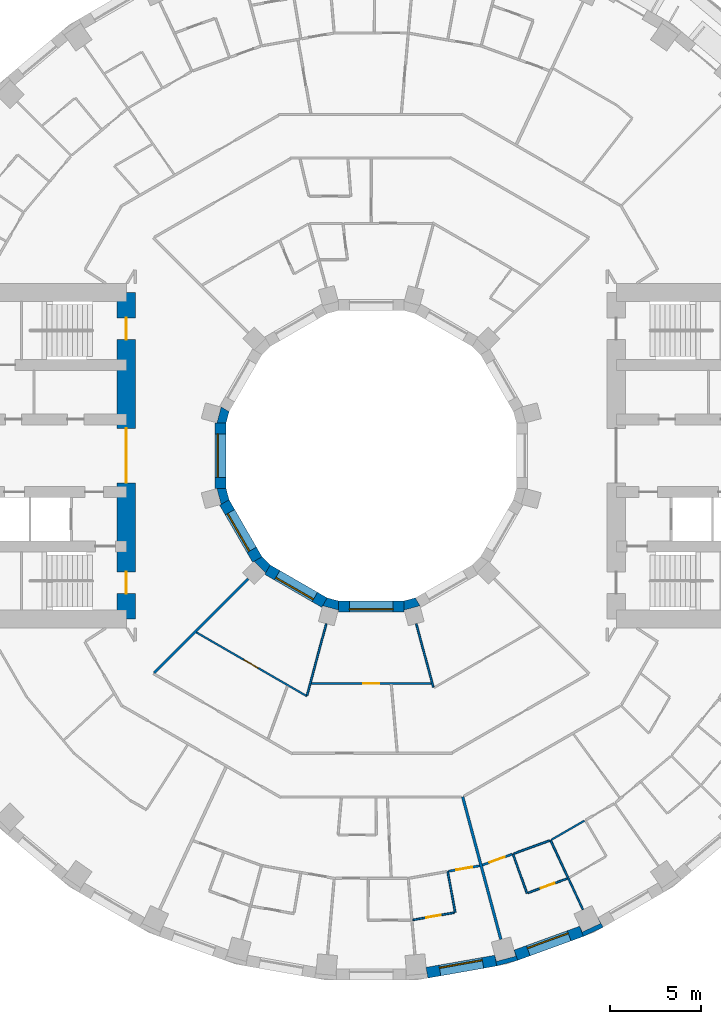
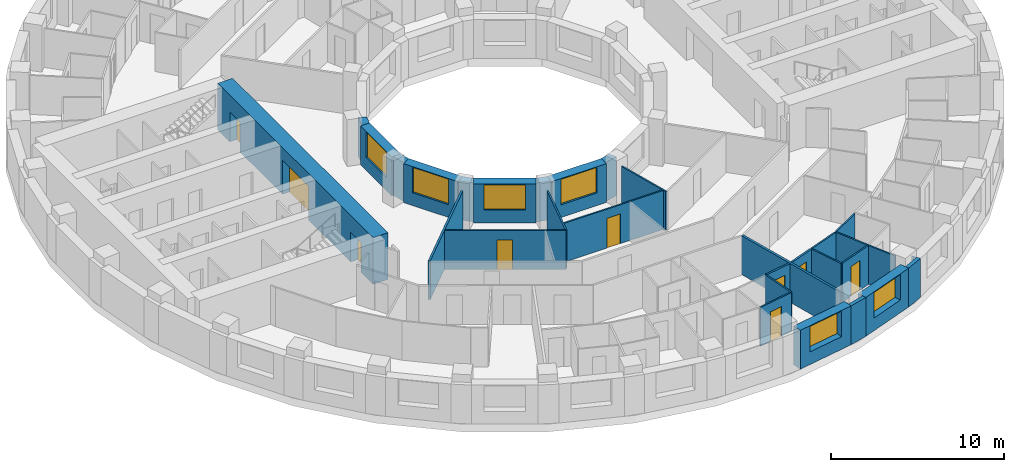
# One storey, part 6 of 15: 29 walls, 9 doors, 6 windows, 15 openings.
"""IFC4 building model written with IfcOpenShell, lengths in metres."""

from ifc_helpers import new_model, si_unit, direction, frame, frame_2d, origin, place, context, subcontext, project, spatial, polyline, rectangle, outline, extrude, material, layer, layer_set, type_object, element, fill, save


model = new_model("IFC4")

# Units and contexts
model_context = context("Model", 3, precision=1e-05, world=origin(), true_north=direction((0.0, 1.0)))
body_context = subcontext(model_context, "Body", "Model", "MODEL_VIEW")
ifc_project = project(units=[si_unit("LENGTHUNIT", "METRE"), si_unit("AREAUNIT", "SQUARE_METRE"), si_unit("VOLUMEUNIT", "CUBIC_METRE"), si_unit("PLANEANGLEUNIT", "RADIAN"), si_unit("MASSUNIT", "GRAM", prefix="KILO")], contexts=[model_context])

# Site, building, storey
site_placement = place(None, origin())
site = spatial("IfcSite", under=ifc_project, at=site_placement, CompositionType="ELEMENT")
building_placement = place(site_placement, origin())
building = spatial("IfcBuilding", under=site, at=building_placement, Name="Saqina Gate Tower", CompositionType="ELEMENT")
storey_placement = place(building_placement, frame((0.0, 0.0, 69.199951171875)))
storey = spatial("IfcBuildingStorey", under=building, at=storey_placement, Name="L19", CompositionType="ELEMENT", Elevation=69.199951171875)

# Walls
ifc_material_1 = material(Name="Brick masonry (red)", Category="masonry")
wall_type_1 = type_object("IfcWallType", Name="BRICK PIER COPING RED", PredefinedType="SOLIDWALL", material=ifc_material_1)
wall_1_placement = place(storey_placement, origin())
element("IfcWall", 1, at=wall_1_placement, inside=storey, type_object=wall_type_1, Name="Pier cap L19 column 29", PredefinedType="SOLIDWALL", context=body_context, shape_type="SweptSolid", body=[
    extrude(outline(polyline([(6.910400390625, -28.11669921875), (8.073974609375, -27.80517578125), (7.86865234375, -27.2412109375), (7.95947265625, -27.57958984375), (6.896728515625, -27.864501953125), (6.80615234375, -27.52587890625), (6.910400390625, -28.11669921875)])), origin(), (0.0, 0.0, 1.0), 2.75),
])
wall_2_placement = place(storey_placement, origin())
element("IfcWall", 2, at=wall_2_placement, inside=storey, type_object=wall_type_1, Name="Pier cap L19 column 30", PredefinedType="SOLIDWALL", context=body_context, shape_type="SweptSolid", body=[
    extrude(outline(polyline([(12.779541015625, -25.980712890625), (12.4794921875, -25.4609375), (12.627685546875, -25.778564453125), (11.630615234375, -26.243408203125), (11.482666015625, -25.92578125), (11.687744140625, -26.48974609375), (12.779541015625, -25.980712890625)])), origin(), (0.0, 0.0, 1.0), 2.75),
])

# Wall, opening, window
ifc_material_2 = material(Name="Brick masonry (red)", Category="masonry")
ifc_layer_1 = layer(ifc_material_2, 0.60009765625)
ifc_layer_set_1 = layer_set([ifc_layer_1], Name="FW-BRICK-RED")
wall_type_2 = type_object("IfcWallType", Name="FW-BRICK-RED", PredefinedType="SOLIDWALL", material=ifc_layer_set_1)
wall_3_placement = place(storey_placement, frame((3.07080078125, -28.4892578125, 0.0), z_axis=(0.0, 0.0, 1.0), x_axis=(0.984800809218, 0.173687553279, 0.0)))
wall_3 = element("IfcWall", 3, at=wall_3_placement, inside=storey, type_object=wall_type_2, Name="Facade wall L19 facet 28", PredefinedType="SOLIDWALL", context=body_context, shape_type="SweptSolid", body=[
    extrude(rectangle(XDim=3.845703125, YDim=0.60009765625, at=frame_2d((1.9228515625, 0.0))), origin(), (0.0, 0.0, 1.0), 2.75),
])
opening_1_placement = place(wall_3_placement, frame((0.722900390625, 0.0, 0.89990234375)))
opening_1 = element("IfcOpeningElement", 4, at=opening_1_placement, cuts=wall_3, Name="Opening G05-W17", PredefinedType="OPENING", context=body_context, shape_type="SweptSolid", body=[
    extrude(rectangle(XDim=2.39990234375, YDim=1.800048828125, at=frame_2d((1.199951171875, 0.89990234375))), frame((0.0, 0.31201171875, 0.0), z_axis=(0.0, -1.0, 0.0), x_axis=(1.0, 0.0, 0.0)), (0.0, 0.0, 1.0), 0.6240234375),
])
ifc_material_3 = material(Name="Aluminium glazing", Category="aluminium")
window_type_1 = type_object("IfcWindowType", Name="WN-A", PartitioningType="SINGLE_PANEL", PredefinedType="WINDOW", material=ifc_material_3)
window_1_placement = place(opening_1_placement, origin())
window_1 = element("IfcWindow", 5, at=window_1_placement, inside=storey, type_object=window_type_1, Name="Window L19 facet 28", OverallHeight=1.800048828125, OverallWidth=2.39990234375, PartitioningType="SINGLE_PANEL", PredefinedType="WINDOW", context=body_context, shape_type="SweptSolid", body=[
    extrude(rectangle(XDim=2.39990234375, YDim=1.800048828125, at=frame_2d((1.199951171875, 0.89990234375))), frame((0.0, 0.179931640625, 0.0), z_axis=(0.0, -1.0, 0.0), x_axis=(1.0, 0.0, 0.0)), (0.0, 0.0, 1.0), 0.06005859375),
])
fill(opening_1, window_1)

wall_4_placement = place(storey_placement, frame((7.97119140625, -27.523193359375, 0.0), z_axis=(0.0, 0.0, 1.0), x_axis=(0.939689588564, 0.342028474173, 0.0)))
wall_4 = element("IfcWall", 6, at=wall_4_placement, inside=storey, type_object=wall_type_2, Name="Facade wall L19 facet 29", PredefinedType="SOLIDWALL", context=body_context, shape_type="SweptSolid", body=[
    extrude(rectangle(XDim=3.845947265625, YDim=0.60009765625, at=frame_2d((1.9228515625, 0.0))), origin(), (0.0, 0.0, 1.0), 2.75),
])
opening_2_placement = place(wall_4_placement, frame((0.722900390625, 0.0, 0.89990234375)))
opening_2 = element("IfcOpeningElement", 7, at=opening_2_placement, cuts=wall_4, Name="Opening G05-W18", PredefinedType="OPENING", context=body_context, shape_type="SweptSolid", body=[
    extrude(rectangle(XDim=2.39990234375, YDim=1.800048828125, at=frame_2d((1.199951171875, 0.89990234375))), frame((0.0, 0.31201171875, 0.0), z_axis=(0.0, -1.0, 0.0), x_axis=(1.0, 0.0, 0.0)), (0.0, 0.0, 1.0), 0.6240234375),
])
window_2_placement = place(opening_2_placement, origin())
window_2 = element("IfcWindow", 8, at=window_2_placement, inside=storey, type_object=window_type_1, Name="Window L19 facet 29", OverallHeight=1.800048828125, OverallWidth=2.39990234375, PartitioningType="SINGLE_PANEL", PredefinedType="WINDOW", context=body_context, shape_type="SweptSolid", body=[
    extrude(rectangle(XDim=2.39990234375, YDim=1.800048828125, at=frame_2d((1.199951171875, 0.89990234375))), frame((0.0, 0.179931640625, 0.0), z_axis=(0.0, -1.0, 0.0), x_axis=(1.0, 0.0, 0.0)), (0.0, 0.0, 1.0), 0.06005859375),
])
fill(opening_2, window_2)

ifc_material_4 = material(Name="Glazed ceramic tile", Category="ceramic")
ifc_layer_2 = layer(ifc_material_4, 0.60009765625)
ifc_layer_set_2 = layer_set([ifc_layer_2], Name="IW-TILE")
wall_type_3 = type_object("IfcWallType", Name="IW-TILE", PredefinedType="SOLIDWALL", material=ifc_layer_set_2)
wall_5_placement = place(storey_placement, frame((-8.300048828125, 1.8125, 0.0), z_axis=(0.0, 0.0, 1.0), x_axis=(0.0, -1.0, 0.0)))
wall_5 = element("IfcWall", 9, at=wall_5_placement, inside=storey, type_object=wall_type_3, Name="Well wall L19 facet 6", PredefinedType="SOLIDWALL", context=body_context, shape_type="SweptSolid", body=[
    extrude(rectangle(XDim=3.625, YDim=0.60009765625, at=frame_2d((1.8125, 0.0))), origin(), (0.0, 0.0, 1.0), 2.75),
])
opening_3_placement = place(wall_5_placement, frame((0.612548828125, 0.0, 0.89990234375)))
opening_3 = element("IfcOpeningElement", 10, at=opening_3_placement, cuts=wall_5, Name="Opening G05-W28", PredefinedType="OPENING", context=body_context, shape_type="SweptSolid", body=[
    extrude(rectangle(XDim=2.39990234375, YDim=1.800048828125, at=frame_2d((1.199951171875, 0.89990234375))), frame((0.0, 0.31201171875, 0.0), z_axis=(0.0, -1.0, 0.0), x_axis=(1.0, 0.0, 0.0)), (0.0, 0.0, 1.0), 0.6240234375),
])
ifc_material_5 = material(Name="Aluminium glazing", Category="aluminium")
window_type_2 = type_object("IfcWindowType", Name="WN-W", PartitioningType="SINGLE_PANEL", PredefinedType="WINDOW", material=ifc_material_5)
window_3_placement = place(opening_3_placement, origin())
window_3 = element("IfcWindow", 11, at=window_3_placement, inside=storey, type_object=window_type_2, Name="Well window L19 facet 6", OverallHeight=1.800048828125, OverallWidth=2.39990234375, PartitioningType="SINGLE_PANEL", PredefinedType="WINDOW", context=body_context, shape_type="SweptSolid", body=[
    extrude(rectangle(XDim=2.39990234375, YDim=1.800048828125, at=frame_2d((1.199951171875, 0.89990234375))), frame((0.0, -0.119873046875, 0.0), z_axis=(0.0, -1.0, 0.0), x_axis=(1.0, 0.0, 0.0)), (0.0, 0.0, 1.0), 0.06005859375),
])
fill(opening_3, window_3)

wall_6_placement = place(storey_placement, frame((-8.09423828125, -2.580322265625, 0.0), z_axis=(0.0, 0.0, 1.0), x_axis=(0.499992569217, -0.866029693906, 0.0)))
wall_6 = element("IfcWall", 12, at=wall_6_placement, inside=storey, type_object=wall_type_3, Name="Well wall L19 facet 7", PredefinedType="SOLIDWALL", context=body_context, shape_type="SweptSolid", body=[
    extrude(rectangle(XDim=3.625, YDim=0.60009765625, at=frame_2d((1.8125, 0.0))), origin(), (0.0, 0.0, 1.0), 2.75),
])
opening_4_placement = place(wall_6_placement, frame((0.612548828125, 0.0, 0.89990234375)))
opening_4 = element("IfcOpeningElement", 13, at=opening_4_placement, cuts=wall_6, Name="Opening G05-W29", PredefinedType="OPENING", context=body_context, shape_type="SweptSolid", body=[
    extrude(rectangle(XDim=2.39990234375, YDim=1.800048828125, at=frame_2d((1.199951171875, 0.89990234375))), frame((0.0, 0.31201171875, 0.0), z_axis=(0.0, -1.0, 0.0), x_axis=(1.0, 0.0, 0.0)), (0.0, 0.0, 1.0), 0.6240234375),
])
window_4_placement = place(opening_4_placement, origin())
window_4 = element("IfcWindow", 14, at=window_4_placement, inside=storey, type_object=window_type_2, Name="Well window L19 facet 7", OverallHeight=1.800048828125, OverallWidth=2.39990234375, PartitioningType="SINGLE_PANEL", PredefinedType="WINDOW", context=body_context, shape_type="SweptSolid", body=[
    extrude(rectangle(XDim=2.39990234375, YDim=1.800048828125, at=frame_2d((1.199951171875, 0.89990234375))), frame((0.0, -0.119873046875, 0.0), z_axis=(0.0, -1.0, 0.0), x_axis=(1.0, 0.0, 0.0)), (0.0, 0.0, 1.0), 0.06005859375),
])
fill(opening_4, window_4)

wall_7_placement = place(storey_placement, frame((-5.7197265625, -6.28173828125, 0.0), z_axis=(0.0, 0.0, 1.0), x_axis=(0.866029693906, -0.499992569217, 0.0)))
wall_7 = element("IfcWall", 15, at=wall_7_placement, inside=storey, type_object=wall_type_3, Name="Well wall L19 facet 8", PredefinedType="SOLIDWALL", context=body_context, shape_type="SweptSolid", body=[
    extrude(rectangle(XDim=3.625, YDim=0.60009765625, at=frame_2d((1.8125, 0.0))), origin(), (0.0, 0.0, 1.0), 2.75),
])
opening_5_placement = place(wall_7_placement, frame((0.612548828125, 0.0, 0.89990234375)))
opening_5 = element("IfcOpeningElement", 16, at=opening_5_placement, cuts=wall_7, Name="Opening G05-W30", PredefinedType="OPENING", context=body_context, shape_type="SweptSolid", body=[
    extrude(rectangle(XDim=2.39990234375, YDim=1.800048828125, at=frame_2d((1.199951171875, 0.89990234375))), frame((0.0, 0.31201171875, 0.0), z_axis=(0.0, -1.0, 0.0), x_axis=(1.0, 0.0, 0.0)), (0.0, 0.0, 1.0), 0.6240234375),
])
window_5_placement = place(opening_5_placement, origin())
window_5 = element("IfcWindow", 17, at=window_5_placement, inside=storey, type_object=window_type_2, Name="Well window L19 facet 8", OverallHeight=1.800048828125, OverallWidth=2.39990234375, PartitioningType="SINGLE_PANEL", PredefinedType="WINDOW", context=body_context, shape_type="SweptSolid", body=[
    extrude(rectangle(XDim=2.39990234375, YDim=1.800048828125, at=frame_2d((1.199951171875, 0.89990234375))), frame((0.0, -0.119873046875, 0.0), z_axis=(0.0, -1.0, 0.0), x_axis=(1.0, 0.0, 0.0)), (0.0, 0.0, 1.0), 0.06005859375),
])
fill(opening_5, window_5)

wall_8_placement = place(storey_placement, frame((-1.8125, -8.300048828125, 0.0), z_axis=(0.0, 0.0, 1.0), x_axis=(1.0, 0.0, 0.0)))
wall_8 = element("IfcWall", 18, at=wall_8_placement, inside=storey, type_object=wall_type_3, Name="Well wall L19 facet 9", PredefinedType="SOLIDWALL", context=body_context, shape_type="SweptSolid", body=[
    extrude(rectangle(XDim=3.625, YDim=0.60009765625, at=frame_2d((1.8125, 0.0))), origin(), (0.0, 0.0, 1.0), 2.75),
])
opening_6_placement = place(wall_8_placement, frame((0.612548828125, 0.0, 0.89990234375)))
opening_6 = element("IfcOpeningElement", 19, at=opening_6_placement, cuts=wall_8, Name="Opening G05-W31", PredefinedType="OPENING", context=body_context, shape_type="SweptSolid", body=[
    extrude(rectangle(XDim=2.39990234375, YDim=1.800048828125, at=frame_2d((1.199951171875, 0.89990234375))), frame((0.0, 0.31201171875, 0.0), z_axis=(0.0, -1.0, 0.0), x_axis=(1.0, 0.0, 0.0)), (0.0, 0.0, 1.0), 0.6240234375),
])
window_6_placement = place(opening_6_placement, origin())
window_6 = element("IfcWindow", 20, at=window_6_placement, inside=storey, type_object=window_type_2, Name="Well window L19 facet 9", OverallHeight=1.800048828125, OverallWidth=2.39990234375, PartitioningType="SINGLE_PANEL", PredefinedType="WINDOW", context=body_context, shape_type="SweptSolid", body=[
    extrude(rectangle(XDim=2.39990234375, YDim=1.800048828125, at=frame_2d((1.199951171875, 0.89990234375))), frame((0.0, -0.119873046875, 0.0), z_axis=(0.0, -1.0, 0.0), x_axis=(1.0, 0.0, 0.0)), (0.0, 0.0, 1.0), 0.06005859375),
])
fill(opening_6, window_6)

# Walls
ifc_material_6 = material(Name="Gypsum board on steel studs, 100 mm", Category="steel")
ifc_layer_3 = layer(ifc_material_6, 0.10009765625)
ifc_layer_set_3 = layer_set([ifc_layer_3], Name="PARTITION 100")
wall_type_4 = type_object("IfcWallType", Name="PARTITION 100", PredefinedType="PARTITIONING", material=ifc_layer_set_3)
wall_9_placement = place(storey_placement, frame((4.208984375, -22.906982421875, 0.0), z_axis=(0.0, 0.0, 1.0), x_axis=(0.180884135875, -0.983504412491, 0.0)))
element("IfcWall", 21, at=wall_9_placement, inside=storey, type_object=wall_type_4, Name="PARTITION PW3-10", PredefinedType="PARTITIONING", context=body_context, shape_type="SweptSolid", body=[
    extrude(rectangle(XDim=2.2998046875, YDim=0.10009765625, at=frame_2d((1.14990234375, 0.0))), origin(), (0.0, 0.0, 1.0), 2.75),
])
wall_10_placement = place(storey_placement, frame((2.48291015625, -9.265380859375, 0.0), z_axis=(0.0, 0.0, 1.0), x_axis=(0.258862308746, -0.965914232792, 0.0)))
element("IfcWall", 22, at=wall_10_placement, inside=storey, type_object=wall_type_4, Name="PARTITION PW3-14", PredefinedType="PARTITIONING", context=body_context, shape_type="SweptSolid", body=[
    extrude(rectangle(XDim=3.609375, YDim=0.10009765625, at=frame_2d((1.8046875, 0.0))), origin(), (0.0, 0.0, 1.0), 2.75),
])
wall_11_placement = place(storey_placement, frame((7.80810546875, -21.94189453125, 0.0), z_axis=(0.0, 0.0, 1.0), x_axis=(0.335206501266, -0.942144681835, 0.0)))
element("IfcWall", 23, at=wall_11_placement, inside=storey, type_object=wall_type_4, Name="PARTITION PW3-16", PredefinedType="PARTITIONING", context=body_context, shape_type="SweptSolid", body=[
    extrude(rectangle(XDim=2.300048828125, YDim=0.10009765625, at=frame_2d((1.14990234375, 0.0))), origin(), (0.0, 0.0, 1.0), 2.75),
])
wall_12_placement = place(storey_placement, frame((9.8798828125, -21.18798828125, 0.0), z_axis=(0.0, 0.0, 1.0), x_axis=(0.422631582156, -0.906301575506, 0.0)))
element("IfcWall", 24, at=wall_12_placement, inside=storey, type_object=wall_type_4, Name="PARTITION PW3-20", PredefinedType="PARTITIONING", context=body_context, shape_type="SweptSolid", body=[
    extrude(rectangle(XDim=4.211669921875, YDim=0.10009765625, at=frame_2d((2.10595703125, 0.0))), origin(), (0.0, 0.0, 1.0), 2.75),
])

# Wall, opening, door
wall_13_placement = place(storey_placement, frame((-9.645751953125, -9.731201171875, 0.0), z_axis=(0.0, 0.0, 1.0), x_axis=(0.866059669785, -0.49994064485, 0.0)))
wall_13 = element("IfcWall", 25, at=wall_13_placement, inside=storey, type_object=wall_type_4, Name="PARTITION PW3-44", PredefinedType="PARTITIONING", context=body_context, shape_type="SweptSolid", body=[
    extrude(rectangle(XDim=7.038330078125, YDim=0.10009765625, at=frame_2d((3.51904296875, 0.0))), origin(), (0.0, 0.0, 1.0), 2.75),
])
opening_7_placement = place(wall_13_placement, frame((3.0380859375, 0.0, 0.0)))
opening_7 = element("IfcOpeningElement", 26, at=opening_7_placement, cuts=wall_13, Name="Opening G05-D39", PredefinedType="OPENING", context=body_context, shape_type="SweptSolid", body=[
    extrude(rectangle(XDim=0.89990234375, YDim=2.10009765625, at=frame_2d((0.449951171875, 1.050048828125))), frame((0.0, 0.06201171875, 0.0), z_axis=(0.0, -1.0, 0.0), x_axis=(1.0, 0.0, 0.0)), (0.0, 0.0, 1.0), 0.1240234375),
])
ifc_material_7 = material(Name="Timber door leaf, 900 mm", Category="wood")
door_type_1 = type_object("IfcDoorType", Name="DOOR 900 TIMBER", OperationType="SINGLE_SWING_LEFT", PredefinedType="DOOR", material=ifc_material_7)
door_1_placement = place(opening_7_placement, origin())
door_1 = element("IfcDoor", 27, at=door_1_placement, inside=storey, type_object=door_type_1, Name="DOOR G05-D39", OperationType="SINGLE_SWING_LEFT", OverallHeight=2.10009765625, OverallWidth=0.89990234375, PredefinedType="DOOR", context=body_context, shape_type="SweptSolid", body=[
    extrude(rectangle(XDim=0.89990234375, YDim=2.10009765625, at=frame_2d((0.449951171875, 1.050048828125))), frame((0.0, 0.02490234375, 0.0), z_axis=(0.0, -1.0, 0.0), x_axis=(1.0, 0.0, 0.0)), (0.0, 0.0, 1.0), 0.050048828125),
])
fill(opening_7, door_1)

wall_14_placement = place(storey_placement, frame((-3.3125, -12.550048828125, 0.0), z_axis=(0.0, 0.0, 1.0), x_axis=(1.0, 0.0, 0.0)))
wall_14 = element("IfcWall", 28, at=wall_14_placement, inside=storey, type_object=wall_type_4, Name="PARTITION PW3-61", PredefinedType="PARTITIONING", context=body_context, shape_type="SweptSolid", body=[
    extrude(rectangle(XDim=6.62548828125, YDim=0.10009765625, at=frame_2d((3.312744140625, 0.0))), origin(), (0.0, 0.0, 1.0), 2.75),
])
opening_8_placement = place(wall_14_placement, frame((2.862548828125, 0.0, 0.0)))
opening_8 = element("IfcOpeningElement", 29, at=opening_8_placement, cuts=wall_14, Name="Opening G05-D49", PredefinedType="OPENING", context=body_context, shape_type="SweptSolid", body=[
    extrude(rectangle(XDim=0.89990234375, YDim=2.10009765625, at=frame_2d((0.449951171875, 1.050048828125))), frame((0.0, 0.06201171875, 0.0), z_axis=(0.0, -1.0, 0.0), x_axis=(1.0, 0.0, 0.0)), (0.0, 0.0, 1.0), 0.1240234375),
])
door_2_placement = place(opening_8_placement, frame((0.89990234375, 0.0, 0.0), z_axis=(0.0, 0.0, 1.0), x_axis=(-1.0, 0.0, 0.0)))
door_2 = element("IfcDoor", 30, at=door_2_placement, inside=storey, type_object=door_type_1, Name="DOOR G05-D49", OperationType="SINGLE_SWING_RIGHT", OverallHeight=2.10009765625, OverallWidth=0.89990234375, PredefinedType="DOOR", context=body_context, shape_type="SweptSolid", body=[
    extrude(rectangle(XDim=0.89990234375, YDim=2.10009765625, at=frame_2d((0.449951171875, 1.050048828125))), frame((0.0, 0.02490234375, 0.0), z_axis=(0.0, -1.0, 0.0), x_axis=(1.0, 0.0, 0.0)), (0.0, 0.0, 1.0), 0.050048828125),
])
fill(opening_8, door_2)

wall_15_placement = place(storey_placement, frame((2.288330078125, -25.581298828125, 0.0), z_axis=(0.0, 0.0, 1.0), x_axis=(0.984789907179, 0.173749356022, 0.0)))
wall_15 = element("IfcWall", 31, at=wall_15_placement, inside=storey, type_object=wall_type_4, Name="PARTITION PW3-67", PredefinedType="PARTITIONING", context=body_context, shape_type="SweptSolid", body=[
    extrude(rectangle(XDim=2.32275390625, YDim=0.10009765625, at=frame_2d((1.161376953125, 0.0))), origin(), (0.0, 0.0, 1.0), 2.75),
])
opening_9_placement = place(wall_15_placement, frame((0.761474609375, 0.0, 0.0)))
opening_9 = element("IfcOpeningElement", 32, at=opening_9_placement, cuts=wall_15, Name="Opening G05-D52", PredefinedType="OPENING", context=body_context, shape_type="SweptSolid", body=[
    extrude(rectangle(XDim=0.800048828125, YDim=2.10009765625, at=frame_2d((0.39990234375, 1.050048828125))), frame((0.0, 0.06201171875, 0.0), z_axis=(0.0, -1.0, 0.0), x_axis=(1.0, 0.0, 0.0)), (0.0, 0.0, 1.0), 0.1240234375),
])
ifc_material_8 = material(Name="Timber door leaf, 800 mm", Category="wood")
door_type_2 = type_object("IfcDoorType", Name="DOOR 800 TIMBER", OperationType="SINGLE_SWING_LEFT", PredefinedType="DOOR", material=ifc_material_8)
door_3_placement = place(opening_9_placement, frame((0.800048828125, 0.0, 0.0), z_axis=(0.0, 0.0, 1.0), x_axis=(-1.0, 0.0, 0.0)))
door_3 = element("IfcDoor", 33, at=door_3_placement, inside=storey, type_object=door_type_2, Name="DOOR G05-D52", OperationType="SINGLE_SWING_RIGHT", OverallHeight=2.10009765625, OverallWidth=0.800048828125, PredefinedType="DOOR", context=body_context, shape_type="SweptSolid", body=[
    extrude(rectangle(XDim=0.800048828125, YDim=2.10009765625, at=frame_2d((0.39990234375, 1.050048828125))), frame((0.0, 0.02490234375, 0.0), z_axis=(0.0, -1.0, 0.0), x_axis=(1.0, 0.0, 0.0)), (0.0, 0.0, 1.0), 0.050048828125),
])
fill(opening_9, door_3)

wall_16_placement = place(storey_placement, frame((8.6259765625, -24.091796875, 0.0), z_axis=(0.0, 0.0, 1.0), x_axis=(0.939814902169, 0.341683990936, 0.0)))
wall_16 = element("IfcWall", 34, at=wall_16_placement, inside=storey, type_object=wall_type_4, Name="PARTITION PW3-71", PredefinedType="PARTITIONING", context=body_context, shape_type="SweptSolid", body=[
    extrude(rectangle(XDim=2.322998046875, YDim=0.10009765625, at=frame_2d((1.16162109375, 0.0))), origin(), (0.0, 0.0, 1.0), 2.75),
])
opening_10_placement = place(wall_16_placement, frame((0.761474609375, 0.0, 0.0)))
opening_10 = element("IfcOpeningElement", 35, at=opening_10_placement, cuts=wall_16, Name="Opening G05-D55", PredefinedType="OPENING", context=body_context, shape_type="SweptSolid", body=[
    extrude(rectangle(XDim=0.800048828125, YDim=2.10009765625, at=frame_2d((0.39990234375, 1.050048828125))), frame((0.0, 0.06201171875, 0.0), z_axis=(0.0, -1.0, 0.0), x_axis=(1.0, 0.0, 0.0)), (0.0, 0.0, 1.0), 0.1240234375),
])
door_4_placement = place(opening_10_placement, frame((0.800048828125, 0.0, 0.0), z_axis=(0.0, 0.0, 1.0), x_axis=(-1.0, 0.0, 0.0)))
door_4 = element("IfcDoor", 36, at=door_4_placement, inside=storey, type_object=door_type_2, Name="DOOR G05-D55", OperationType="SINGLE_SWING_RIGHT", OverallHeight=2.10009765625, OverallWidth=0.800048828125, PredefinedType="DOOR", context=body_context, shape_type="SweptSolid", body=[
    extrude(rectangle(XDim=0.800048828125, YDim=2.10009765625, at=frame_2d((0.39990234375, 1.050048828125))), frame((0.0, 0.02490234375, 0.0), z_axis=(0.0, -1.0, 0.0), x_axis=(1.0, 0.0, 0.0)), (0.0, 0.0, 1.0), 0.050048828125),
])
fill(opening_10, door_4)

# Walls
for number, where, z_axis, x_axis, name in (
    (37, (7.85498046875, -21.9248046875, 0.0), (0.0, 0.0, 1.0), (0.939725675468, 0.341929312674, 0.0), "PARTITION PW3-72"),
    (38, (9.92333984375, -21.1630859375, 0.0), (0.0, 0.0, 1.0), (0.866158552195, 0.499769309241, 0.0), "PARTITION PW3-76"),
):
    element("IfcWall", number, at=place(storey_placement, frame(where, z_axis=z_axis, x_axis=x_axis)), inside=storey, type_object=wall_type_4, Name=name, PredefinedType="PARTITIONING", context=body_context, shape_type="SweptSolid", body=[
        extrude(rectangle(XDim=2.10498046875, YDim=0.10009765625, at=frame_2d((1.052490234375, 0.0))), origin(), (0.0, 0.0, 1.0), 2.75),
    ])
wall_17_placement = place(storey_placement, frame((-3.537109375, -13.20166015625, 0.0), z_axis=(0.0, 0.0, 1.0), x_axis=(0.258810949593, 0.965927995438, 0.0)))
element("IfcWall", 39, at=wall_17_placement, inside=storey, type_object=wall_type_4, Name="PARTITION PW3-106", PredefinedType="PARTITIONING", context=body_context, shape_type="SweptSolid", body=[
    extrude(rectangle(XDim=4.0751953125, YDim=0.10009765625, at=frame_2d((2.03759765625, 0.0))), origin(), (0.0, 0.0, 1.0), 2.75),
])

# Wall, opening, door
ifc_material_9 = material(Name="Gypsum board on steel studs, 125 mm, fire rated", Category="steel")
ifc_layer_4 = layer(ifc_material_9, 0.125)
ifc_layer_set_4 = layer_set([ifc_layer_4], Name="PARTITION EI 30 125")
wall_type_5 = type_object("IfcWallType", Name="PARTITION EI 30 125", PredefinedType="PARTITIONING", material=ifc_layer_set_4)
wall_18_placement = place(storey_placement, frame((4.25830078125, -22.898193359375, 0.0), z_axis=(0.0, 0.0, 1.0), x_axis=(0.984792007097, 0.173737453525, 0.0)))
wall_18 = element("IfcWall", 40, at=wall_18_placement, inside=storey, type_object=wall_type_5, Name="PARTITION PW1-27", PredefinedType="PARTITIONING", context=body_context, shape_type="SweptSolid", body=[
    extrude(rectangle(XDim=1.745361328125, YDim=0.125, at=frame_2d((0.87255859375, 0.0))), origin(), (0.0, 0.0, 1.0), 2.75),
])
opening_11_placement = place(wall_18_placement, frame((0.435302734375, 0.0, 0.0)))
opening_11 = element("IfcOpeningElement", 41, at=opening_11_placement, cuts=wall_18, Name="Opening G05-D53", PredefinedType="OPENING", context=body_context, shape_type="SweptSolid", body=[
    extrude(rectangle(XDim=0.89990234375, YDim=2.10009765625, at=frame_2d((0.449951171875, 1.050048828125))), frame((0.0, 0.074462890625, 0.0), z_axis=(0.0, -1.0, 0.0), x_axis=(1.0, 0.0, 0.0)), (0.0, 0.0, 1.0), 0.14892578125),
])
ifc_material_10 = material(Name="Fire door leaf EI 30, 900 mm")
door_type_3 = type_object("IfcDoorType", Name="DOOR 900 EI 30", OperationType="SINGLE_SWING_LEFT", PredefinedType="DOOR", material=ifc_material_10)
door_5_placement = place(opening_11_placement, origin())
door_5 = element("IfcDoor", 42, at=door_5_placement, inside=storey, type_object=door_type_3, Name="DOOR G05-D53", OperationType="SINGLE_SWING_RIGHT", OverallHeight=2.10009765625, OverallWidth=0.89990234375, PredefinedType="DOOR", context=body_context, shape_type="SweptSolid", body=[
    extrude(rectangle(XDim=0.89990234375, YDim=2.10009765625, at=frame_2d((0.449951171875, 1.050048828125))), frame((0.0, 0.02490234375, 0.0), z_axis=(0.0, -1.0, 0.0), x_axis=(1.0, 0.0, 0.0)), (0.0, 0.0, 1.0), 0.050048828125),
])
fill(opening_11, door_5)

wall_19_placement = place(storey_placement, frame((6.12158203125, -22.556396484375, 0.0), z_axis=(0.0, 0.0, 1.0), x_axis=(0.939605351125, 0.342259819635, 0.0)))
wall_19 = element("IfcWall", 43, at=wall_19_placement, inside=storey, type_object=wall_type_5, Name="PARTITION PW1-29", PredefinedType="PARTITIONING", context=body_context, shape_type="SweptSolid", body=[
    extrude(rectangle(XDim=1.744873046875, YDim=0.125, at=frame_2d((0.87255859375, 0.0))), origin(), (0.0, 0.0, 1.0), 2.75),
])
opening_12_placement = place(wall_19_placement, frame((0.409912109375, 0.0, 0.0)))
opening_12 = element("IfcOpeningElement", 44, at=opening_12_placement, cuts=wall_19, Name="Opening G05-D54", PredefinedType="OPENING", context=body_context, shape_type="SweptSolid", body=[
    extrude(rectangle(XDim=0.89990234375, YDim=2.10009765625, at=frame_2d((0.449951171875, 1.050048828125))), frame((0.0, 0.074462890625, 0.0), z_axis=(0.0, -1.0, 0.0), x_axis=(1.0, 0.0, 0.0)), (0.0, 0.0, 1.0), 0.14892578125),
])
door_6_placement = place(opening_12_placement, origin())
door_6 = element("IfcDoor", 45, at=door_6_placement, inside=storey, type_object=door_type_3, Name="DOOR G05-D54", OperationType="SINGLE_SWING_LEFT", OverallHeight=2.10009765625, OverallWidth=0.89990234375, PredefinedType="DOOR", context=body_context, shape_type="SweptSolid", body=[
    extrude(rectangle(XDim=0.89990234375, YDim=2.10009765625, at=frame_2d((0.449951171875, 1.050048828125))), frame((0.0, 0.02490234375, 0.0), z_axis=(0.0, -1.0, 0.0), x_axis=(1.0, 0.0, 0.0)), (0.0, 0.0, 1.0), 0.050048828125),
])
fill(opening_12, door_6)

# Walls
wall_20_placement = place(storey_placement, frame((-11.9619140625, -11.9619140625, 0.0), z_axis=(0.0, 0.0, 1.0), x_axis=(0.707106781187, 0.707106781187, 0.0)))
element("IfcWall", 46, at=wall_20_placement, inside=storey, type_object=wall_type_5, Name="PARTITION PW1-42", PredefinedType="PARTITIONING", context=body_context, shape_type="SweptSolid", body=[
    extrude(rectangle(XDim=7.324462890625, YDim=0.125, at=frame_2d((3.662109375, 0.0))), origin(), (0.0, 0.0, 1.0), 2.75),
])
ifc_material_11 = material(Name="Gypsum board on steel studs, 150 mm, fire rated", Category="steel")
ifc_layer_5 = layer(ifc_material_11, 0.14990234375)
ifc_layer_set_5 = layer_set([ifc_layer_5], Name="PARTITION EI 60 150")
wall_type_6 = type_object("IfcWallType", Name="PARTITION EI 60 150", PredefinedType="PARTITIONING", material=ifc_layer_set_5)
wall_21_placement = place(storey_placement, frame((5.037109375, -18.800048828125, 0.0), z_axis=(0.0, 0.0, 1.0), x_axis=(0.258808663505, -0.96592860797, 0.0)))
element("IfcWall", 47, at=wall_21_placement, inside=storey, type_object=wall_type_6, Name="PARTITION PW2-01", PredefinedType="PARTITIONING", context=body_context, shape_type="SweptSolid", body=[
    extrude(rectangle(XDim=8.126708984375, YDim=0.14990234375, at=frame_2d((4.0634765625, 0.0))), origin(), (0.0, 0.0, 1.0), 2.75),
])

# Wall, openings, doors
ifc_material_12 = material(Name="Concrete C70/85", Category="concrete")
ifc_layer_6 = layer(ifc_material_12, 1.0)
ifc_layer_set_6 = layer_set([ifc_layer_6], Name="Concrete C70/85")
wall_type_7 = type_object("IfcWallType", Name="STR-CORE WALL-A-O", PredefinedType="SHEAR", material=ifc_layer_set_6)
wall_22_placement = place(storey_placement, frame((-13.5, -9.0, 0.0), z_axis=(0.0, 0.0, 1.0), x_axis=(0.0, 1.0, 0.0)))
wall_22 = element("IfcWall", 48, at=wall_22_placement, inside=storey, type_object=wall_type_7, Name="CORE WALL L19 W-W1", PredefinedType="SHEAR", context=body_context, shape_type="SweptSolid", body=[
    extrude(rectangle(XDim=18.0, YDim=1.0, at=frame_2d((9.0, 0.0))), origin(), (0.0, 0.0, 1.0), 3.300048828125),
])
opening_13_placement = place(wall_22_placement, frame((15.39990234375, 0.0, 0.0)))
opening_13 = element("IfcOpeningElement", 49, at=opening_13_placement, cuts=wall_22, Name="Opening G05-D119", PredefinedType="OPENING", context=body_context, shape_type="SweptSolid", body=[
    extrude(rectangle(XDim=1.199951171875, YDim=2.10009765625, at=frame_2d((0.60009765625, 1.050048828125))), frame((0.0, 0.511962890625, 0.0), z_axis=(0.0, -1.0, 0.0), x_axis=(1.0, 0.0, 0.0)), (0.0, 0.0, 1.0), 1.02392578125),
])
opening_14_placement = place(wall_22_placement, frame((1.39990234375, 0.0, 0.0)))
opening_14 = element("IfcOpeningElement", 50, at=opening_14_placement, cuts=wall_22, Name="Opening G05-D120", PredefinedType="OPENING", context=body_context, shape_type="SweptSolid", body=[
    extrude(rectangle(XDim=1.199951171875, YDim=2.10009765625, at=frame_2d((0.60009765625, 1.050048828125))), frame((0.0, 0.511962890625, 0.0), z_axis=(0.0, -1.0, 0.0), x_axis=(1.0, 0.0, 0.0)), (0.0, 0.0, 1.0), 1.02392578125),
])
opening_15_placement = place(wall_22_placement, frame((7.5, 0.0, 0.0)))
opening_15 = element("IfcOpeningElement", 51, at=opening_15_placement, cuts=wall_22, Name="Opening G05-D121", PredefinedType="OPENING", context=body_context, shape_type="SweptSolid", body=[
    extrude(rectangle(XDim=3.0, YDim=2.39990234375, at=frame_2d((1.5, 1.199951171875))), frame((0.0, 0.511962890625, 0.0), z_axis=(0.0, -1.0, 0.0), x_axis=(1.0, 0.0, 0.0)), (0.0, 0.0, 1.0), 1.02392578125),
])
ifc_material_13 = material(Name="Steel", Category="steel")
door_type_4 = type_object("IfcDoorType", Name="FIRE DOOR EI 60", OperationType="SINGLE_SWING_LEFT", PredefinedType="DOOR", material=ifc_material_13)
door_7_placement = place(opening_13_placement, origin())
door_7 = element("IfcDoor", 52, at=door_7_placement, inside=storey, type_object=door_type_4, Name="L19-CD-W30", OperationType="SINGLE_SWING_RIGHT", OverallHeight=2.10009765625, OverallWidth=1.199951171875, PredefinedType="DOOR", context=body_context, shape_type="SweptSolid", body=[
    extrude(rectangle(XDim=1.199951171875, YDim=2.10009765625, at=frame_2d((0.60009765625, 1.050048828125))), frame((0.0, 0.02490234375, 0.0), z_axis=(0.0, -1.0, 0.0), x_axis=(1.0, 0.0, 0.0)), (0.0, 0.0, 1.0), 0.050048828125),
])
fill(opening_13, door_7)
door_8_placement = place(opening_14_placement, origin())
door_8 = element("IfcDoor", 53, at=door_8_placement, inside=storey, type_object=door_type_4, Name="L19-CD-W31", OperationType="SINGLE_SWING_LEFT", OverallHeight=2.10009765625, OverallWidth=1.199951171875, PredefinedType="DOOR", context=body_context, shape_type="SweptSolid", body=[
    extrude(rectangle(XDim=1.199951171875, YDim=2.10009765625, at=frame_2d((0.60009765625, 1.050048828125))), frame((0.0, 0.02490234375, 0.0), z_axis=(0.0, -1.0, 0.0), x_axis=(1.0, 0.0, 0.0)), (0.0, 0.0, 1.0), 0.050048828125),
])
fill(opening_14, door_8)
ifc_material_14 = material(Name="Steel and fire-resisting glass", Category="steel")
door_type_5 = type_object("IfcDoorType", Name="LOBBY SCREEN DOOR", OperationType="DOUBLE_DOOR_SLIDING", PredefinedType="DOOR", material=ifc_material_14)
door_9_placement = place(opening_15_placement, origin())
door_9 = element("IfcDoor", 54, at=door_9_placement, inside=storey, type_object=door_type_5, Name="L19-CD-W32", OperationType="DOUBLE_DOOR_SLIDING", OverallHeight=2.39990234375, OverallWidth=3.0, PredefinedType="DOOR", context=body_context, shape_type="SweptSolid", body=[
    extrude(rectangle(XDim=3.0, YDim=2.39990234375, at=frame_2d((1.5, 1.199951171875))), frame((0.0, 0.02490234375, 0.0), z_axis=(0.0, -1.0, 0.0), x_axis=(1.0, 0.0, 0.0)), (0.0, 0.0, 1.0), 0.050048828125),
])
fill(opening_15, door_9)

# Walls
ifc_material_15 = material(Name="Glazed ceramic tile", Category="ceramic")
wall_type_8 = type_object("IfcWallType", Name="TILE PIER COPING", PredefinedType="SOLIDWALL", material=ifc_material_15)
wall_23_placement = place(storey_placement, origin())
element("IfcWall", 55, at=wall_23_placement, inside=storey, type_object=wall_type_8, Name="Well pier cap L19 column 6", PredefinedType="SOLIDWALL", context=body_context, shape_type="SweptSolid", body=[
    extrude(outline(polyline([(-8.502685546875, 1.8125), (-8.0, 1.8125), (-7.83447265625, 2.430419921875), (-8.27001953125, 2.681884765625), (-8.502685546875, 1.8125)])), origin(), (0.0, 0.0, 1.0), 2.75),
])
wall_24_placement = place(storey_placement, origin())
element("IfcWall", 56, at=wall_24_placement, inside=storey, type_object=wall_type_8, Name="Well pier cap L19 column 7", PredefinedType="SOLIDWALL", context=body_context, shape_type="SweptSolid", body=[
    extrude(outline(polyline([(-8.27001953125, -2.681884765625), (-7.83447265625, -2.430419921875), (-8.0, -1.8125), (-8.502685546875, -1.8125), (-8.27001953125, -2.681884765625)])), origin(), (0.0, 0.0, 1.0), 2.75),
])
wall_25_placement = place(storey_placement, origin())
element("IfcWall", 57, at=wall_25_placement, inside=storey, type_object=wall_type_8, Name="Well pier cap L19 column 8", PredefinedType="SOLIDWALL", context=body_context, shape_type="SweptSolid", body=[
    extrude(outline(polyline([(-6.45751953125, -5.821044921875), (-5.821044921875, -6.45751953125), (-5.569580078125, -6.02197265625), (-6.02197265625, -5.569580078125), (-6.45751953125, -5.821044921875)])), origin(), (0.0, 0.0, 1.0), 2.75),
])
wall_26_placement = place(storey_placement, origin())
element("IfcWall", 58, at=wall_26_placement, inside=storey, type_object=wall_type_8, Name="Well pier cap L19 column 9", PredefinedType="SOLIDWALL", context=body_context, shape_type="SweptSolid", body=[
    extrude(outline(polyline([(-1.8125, -8.502685546875), (-1.8125, -8.0), (-2.430419921875, -7.83447265625), (-2.681884765625, -8.27001953125), (-1.8125, -8.502685546875)])), origin(), (0.0, 0.0, 1.0), 2.75),
])
wall_27_placement = place(storey_placement, origin())
element("IfcWall", 59, at=wall_27_placement, inside=storey, type_object=wall_type_8, Name="Well pier cap L19 column 10", PredefinedType="SOLIDWALL", context=body_context, shape_type="SweptSolid", body=[
    extrude(outline(polyline([(2.681884765625, -8.27001953125), (2.430419921875, -7.83447265625), (1.8125, -8.0), (1.8125, -8.502685546875), (2.681884765625, -8.27001953125)])), origin(), (0.0, 0.0, 1.0), 2.75),
])

save(model, "model.ifc")
